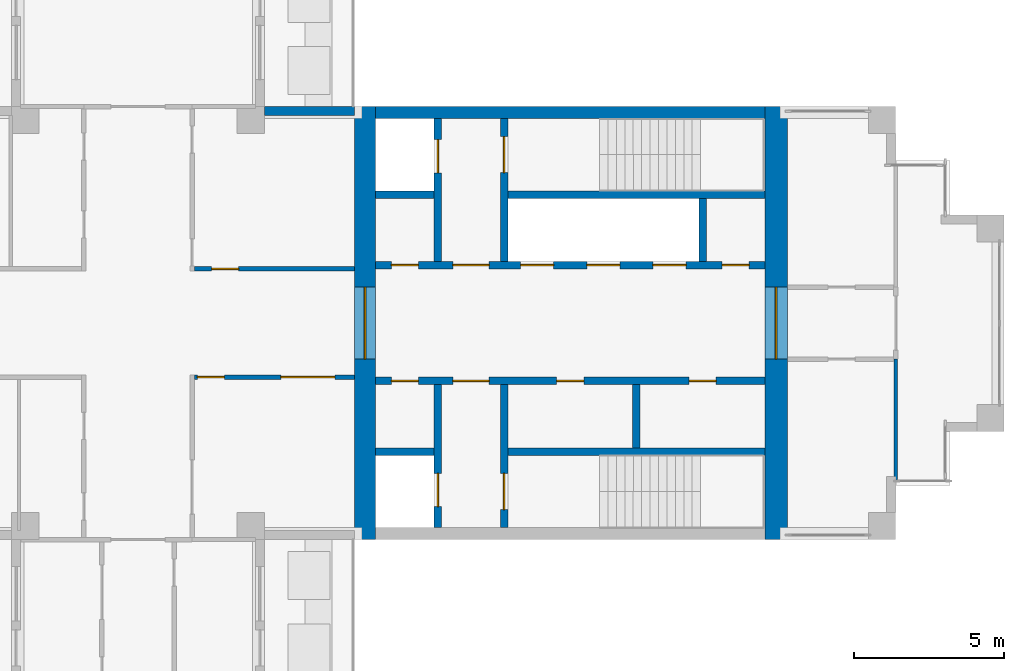
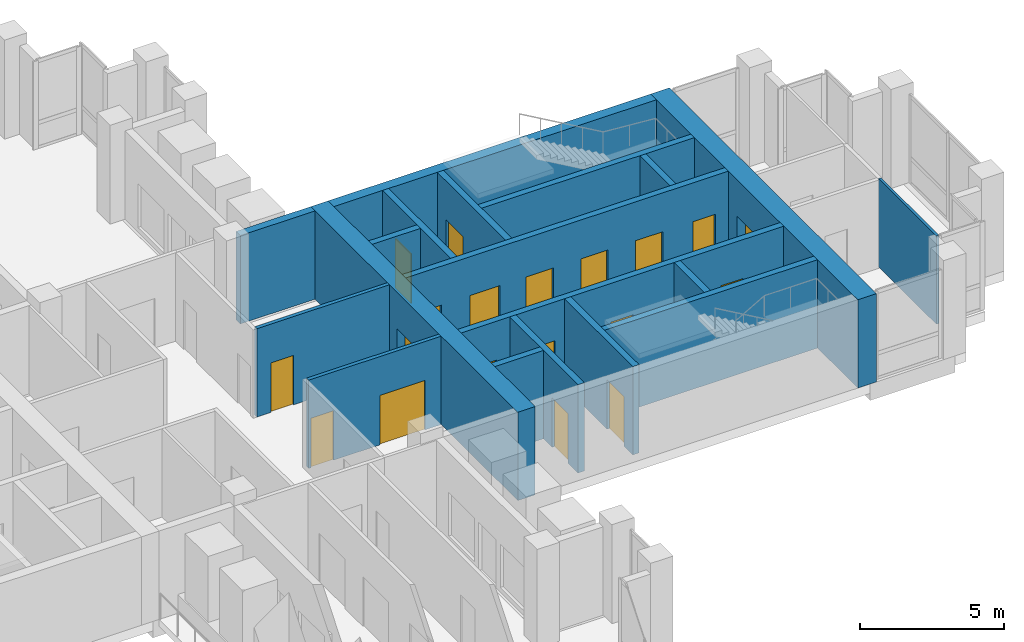
# One storey, part 10 of 13: 19 doors, 19 walls, 19 openings.
"""IFC4 building model written with IfcOpenShell, lengths in metres."""

import ifcopenshell
import ifcopenshell.guid

model = None  # the IFC model being written
_history = None  # IfcOwnerHistory: only IFC2X3 demands one
_inside = {}  # id of a spatial element -> (the spatial element, [elements in it])
_under = {}  # id of a project, library or spatial element -> (it, [spatial elements below it])
_declared = {}  # id of a project -> (the project, [libraries it declares])
_typed = {}  # id of a type object -> (the type object, [elements of that type])
_made_of = {}  # id of a material, layer set ... -> (it, [elements and type objects made of it])


def new_model(schema):
    """Start an empty IFC model of exactly this schema.

    Asked for "IFC4X3", IfcOpenShell would pick the latest addendum, in which some entities
    have other attributes; the version numbers below select the first issue.
    IFC2X3 requires an IfcOwnerHistory on every rooted entity: one is made here for all.
    """
    global model, _history
    if schema == "IFC4X3":
        model = ifcopenshell.file(schema_version=(4, 3, 0, 0))
    else:
        model = ifcopenshell.file(schema=schema)
    _inside.clear()
    _under.clear()
    _declared.clear()
    _typed.clear()
    _made_of.clear()
    _history = None
    if model.schema == "IFC2X3":
        org = make("IfcOrganization", Name="unknown")
        user = make(
            "IfcPersonAndOrganization",
            ThePerson=make("IfcPerson", FamilyName="unknown"),
            TheOrganization=org,
        )
        app = make(
            "IfcApplication",
            ApplicationDeveloper=org,
            Version="unknown",
            ApplicationFullName="unknown",
            ApplicationIdentifier="unknown",
        )
        _history = make(
            "IfcOwnerHistory",
            OwningUser=user,
            OwningApplication=app,
            ChangeAction="ADDED",
            CreationDate=0,
        )
    return model


def make(cls, **values):
    """One entity of the class cls with the attributes given. An attribute that is None is left unset."""
    return model.create_entity(
        cls, **{name: value for name, value in values.items() if value is not None}
    )


def rooted(cls, **values):
    """An entity with a GlobalId (a new one), such as an element, a storey or a relation."""
    return make(cls, GlobalId=ifcopenshell.guid.new(), OwnerHistory=_history, **values)


def si_unit(unit_type, name, prefix=None):
    """IfcSIUnit, for example si_unit("LENGTHUNIT", "METRE", prefix="MILLI")."""
    return make("IfcSIUnit", UnitType=unit_type, Prefix=prefix, Name=name)


def assignment(units):
    """IfcUnitAssignment: the units of a project."""
    return None if units is None else make("IfcUnitAssignment", Units=units)


def point(xyz):
    """IfcCartesianPoint."""
    return None if xyz is None else make("IfcCartesianPoint", Coordinates=xyz)


def direction(xyz):
    """IfcDirection."""
    return None if xyz is None else make("IfcDirection", DirectionRatios=xyz)


def frame(location, z_axis=None, x_axis=None):
    """IfcAxis2Placement3D, a coordinate frame: its origin and axes. An axis left out is left unset."""
    return make(
        "IfcAxis2Placement3D",
        Location=point(location),
        Axis=direction(z_axis),
        RefDirection=direction(x_axis),
    )


def frame_2d(location, x_axis=None):
    """IfcAxis2Placement2D, a coordinate frame in the plane: its origin and x axis."""
    return make(
        "IfcAxis2Placement2D", Location=point(location), RefDirection=direction(x_axis)
    )


def origin():
    """The frame at (0, 0, 0) with its axes left unset."""
    return frame((0.0, 0.0, 0.0))


def place(relative_to, where):
    """IfcLocalPlacement: puts the frame where relative to a parent placement (None: the world)."""
    return make(
        "IfcLocalPlacement", PlacementRelTo=relative_to, RelativePlacement=where
    )


def context(
    kind, dimensions, precision=None, world=None, true_north=None, identifier=None
):
    """IfcGeometricRepresentationContext, for example the 3D "Model" context."""
    return make(
        "IfcGeometricRepresentationContext",
        ContextIdentifier=identifier,
        ContextType=kind,
        CoordinateSpaceDimension=dimensions,
        Precision=precision,
        WorldCoordinateSystem=world,
        TrueNorth=true_north,
    )


def subcontext(parent, identifier, kind, view, scale=None):
    """IfcGeometricRepresentationSubContext, for example "Body" below "Model"."""
    return make(
        "IfcGeometricRepresentationSubContext",
        ContextIdentifier=identifier,
        ContextType=kind,
        ParentContext=parent,
        TargetScale=scale,
        TargetView=view,
    )


def project(units=None, contexts=None):
    """IfcProject with its units and contexts."""
    return rooted(
        "IfcProject",
        Name="project",
        RepresentationContexts=contexts,
        UnitsInContext=assignment(units),
    )


def spatial(cls, under=None, at=None, **own):
    """A site, building, storey or space (cls), placed at a placement, below another one or the project."""
    s = rooted(cls, ObjectPlacement=at, **own)
    if under is not None:
        _under.setdefault(under.id(), (under, []))[1].append(s)
    return s


def profile(cls, at=None, kind="AREA", **sizes):
    """A parametric profile (cls). Its sizes go by their IFC names, for example OverallWidth=200.0."""
    return make(cls, ProfileType=kind, Position=at, **sizes)


def rectangle(**sizes):
    """IfcRectangleProfileDef."""
    return profile("IfcRectangleProfileDef", **sizes)


def extrude(swept, where, along, depth):
    """IfcExtrudedAreaSolid: the profile swept, set in the frame where, extruded along a direction by depth."""
    return make(
        "IfcExtrudedAreaSolid",
        SweptArea=swept,
        Position=where,
        ExtrudedDirection=direction(along),
        Depth=depth,
    )


def shape(context_of_items, identifier, shape_type, items):
    """IfcShapeRepresentation: the items that make up one representation, for example the "Body"."""
    return make(
        "IfcShapeRepresentation",
        ContextOfItems=context_of_items,
        RepresentationIdentifier=identifier,
        RepresentationType=shape_type,
        Items=items,
    )


def material(Name=None, Category=None):
    """IfcMaterial."""
    return make("IfcMaterial", Name=Name, Category=Category)


def layer(
    of_material, thickness, ventilated=None, Name=None, Category=None, Priority=None
):
    """IfcMaterialLayer: one layer of a wall or slab, of a material (None: an air gap)."""
    return make(
        "IfcMaterialLayer",
        Material=of_material,
        LayerThickness=thickness,
        IsVentilated=ventilated,
        Name=Name,
        Category=Category,
        Priority=Priority,
    )


def layer_set(layers, Name=None):
    """IfcMaterialLayerSet."""
    return make("IfcMaterialLayerSet", MaterialLayers=layers, LayerSetName=Name)


def made_of(thing, what):
    """Note that an element or type object is made of a material, layer set ...; save() writes the relation."""
    if what is not None:
        _made_of.setdefault(what.id(), (what, []))[1].append(thing)
    return thing


def type_object(cls, material=None, **own):
    """A type object (cls), such as IfcWallType, which elements share."""
    return made_of(rooted(cls, **own), material)


def element(
    cls,
    number,
    at=None,
    inside=None,
    cuts=None,
    type_object=None,
    material=None,
    context=None,
    identifier="Body",
    shape_type=None,
    held_by="IfcProductDefinitionShape",
    body=None,
    shapes=None,
    **own,
):
    """One element of the class cls, such as IfcWall. Its Tag is "e" and its number.

    at: its placement. inside: the storey or other place that contains it. cuts: it is an
    opening in that element (IfcRelVoidsElement). A single representation is given by context,
    identifier, shape_type and body (its items); several are given by shapes. held_by: the class
    of the entity that holds the representations. save() writes the other relations.
    """
    e = rooted(cls, Tag="e%d" % number, ObjectPlacement=at, **own)
    if body is not None:
        shapes = [shape(context, identifier, shape_type, body)]
    if shapes is not None:
        e.Representation = make(held_by, Representations=shapes)
    if inside is not None:
        _inside.setdefault(inside.id(), (inside, []))[1].append(e)
    if cuts is not None:
        rooted(
            "IfcRelVoidsElement", RelatingBuildingElement=cuts, RelatedOpeningElement=e
        )
    if type_object is not None:
        _typed.setdefault(type_object.id(), (type_object, []))[1].append(e)
    return made_of(e, material)


def fill(opening, filler):
    """IfcRelFillsElement: the door or window that sits in an opening."""
    return rooted(
        "IfcRelFillsElement",
        RelatingOpeningElement=opening,
        RelatedBuildingElement=filler,
    )


def aggregate(whole, parts):
    """IfcRelAggregates: a whole, such as a stair, and the parts it consists of."""
    return rooted("IfcRelAggregates", RelatingObject=whole, RelatedObjects=parts)


def save(model, path):
    """Write the relations noted so far, then the file.

    IfcRelAggregates (storeys below a building ...), IfcRelContainedInSpatialStructure (elements
    in a storey), IfcRelDefinesByType, IfcRelAssociatesMaterial and IfcRelDeclares: one each for
    every whole, place, type object, material and project.
    """
    for whole, parts in _under.values():
        aggregate(whole, parts)
    for where, things in _inside.values():
        rooted(
            "IfcRelContainedInSpatialStructure",
            RelatedElements=things,
            RelatingStructure=where,
        )
    for kind, things in _typed.values():
        rooted("IfcRelDefinesByType", RelatedObjects=things, RelatingType=kind)
    for what, things in _made_of.values():
        rooted("IfcRelAssociatesMaterial", RelatedObjects=things, RelatingMaterial=what)
    for by, libraries in _declared.values():
        rooted("IfcRelDeclares", RelatingContext=by, RelatedDefinitions=libraries)
    model.write(path)


model = new_model("IFC4")

# Units and contexts
model_context = context("Model", 3, precision=1e-05, world=origin(), true_north=direction((0.0, 1.0)))
body_context = subcontext(model_context, "Body", "Model", "MODEL_VIEW")
ifc_project = project(units=[si_unit("LENGTHUNIT", "METRE"), si_unit("AREAUNIT", "SQUARE_METRE"), si_unit("VOLUMEUNIT", "CUBIC_METRE"), si_unit("PLANEANGLEUNIT", "RADIAN"), si_unit("MASSUNIT", "GRAM", prefix="KILO")], contexts=[model_context])

# Site, building, storey
site_placement = place(None, origin())
site = spatial("IfcSite", under=ifc_project, at=site_placement, CompositionType="ELEMENT")
building_placement = place(site_placement, origin())
building = spatial("IfcBuilding", under=site, at=building_placement, Name="Fustian Cross Tower", CompositionType="ELEMENT")
storey_placement = place(building_placement, frame((0.0, 0.0, 237.89990234375)))
storey = spatial("IfcBuildingStorey", under=building, at=storey_placement, Name="L75", CompositionType="ELEMENT", Elevation=237.89990234375)

# Wall, openings, doors
ifc_material_1 = material(Name="Plasterboard on steel stud", Category="steel")
ifc_layer_1 = layer(ifc_material_1, 0.14990234375)
ifc_layer_set_1 = layer_set([ifc_layer_1], Name="Plasterboard on steel stud")
wall_type_1 = type_object("IfcWallType", Name="COMPARTMENT WALL 150 EI 60", PredefinedType="PARTITIONING", material=ifc_layer_set_1)
wall_1_placement = place(storey_placement, frame((1.875, -1.800048828125, 0.0), z_axis=(0.0, 0.0, 1.0), x_axis=(1.0, 0.0, 0.0)))
wall_1 = element("IfcWall", 1, at=wall_1_placement, inside=storey, type_object=wall_type_1, Name="Partition 20", PredefinedType="PARTITIONING", context=body_context, shape_type="SweptSolid", body=[
    extrude(rectangle(XDim=5.324951171875, YDim=0.14990234375, at=frame_2d((2.66259765625, 0.0))), origin(), (0.0, 0.0, 1.0), 3.75),
])
opening_1_placement = place(wall_1_placement, frame((0.10009765625, 0.0, 0.0)))
opening_1 = element("IfcOpeningElement", 2, at=opening_1_placement, cuts=wall_1, Name="Opening D34011", PredefinedType="OPENING", context=body_context, shape_type="SweptSolid", body=[
    extrude(rectangle(XDim=0.89990234375, YDim=2.10009765625, at=frame_2d((0.449951171875, 1.050048828125))), frame((0.0, 0.0849609375, 0.0), z_axis=(0.0, -1.0, 0.0), x_axis=(1.0, 0.0, 0.0)), (0.0, 0.0, 1.0), 0.169921875),
])
opening_2_placement = place(wall_1_placement, frame((2.875, 0.0, 0.0)))
opening_2 = element("IfcOpeningElement", 3, at=opening_2_placement, cuts=wall_1, Name="Opening D34012", PredefinedType="OPENING", context=body_context, shape_type="SweptSolid", body=[
    extrude(rectangle(XDim=1.800048828125, YDim=2.10009765625, at=frame_2d((0.89990234375, 1.050048828125))), frame((0.0, 0.0849609375, 0.0), z_axis=(0.0, -1.0, 0.0), x_axis=(1.0, 0.0, 0.0)), (0.0, 0.0, 1.0), 0.169921875),
])
ifc_material_2 = material(Name="Timber fire door set", Category="wood")
door_type_1 = type_object("IfcDoorType", Name="FIRE DOUBLE DOOR 1800 FD30S", OperationType="DOUBLE_DOOR_DOUBLE_SWING", PredefinedType="DOOR", material=ifc_material_2)
door_1_placement = place(opening_2_placement, frame((1.800048828125, 0.0, 0.0), z_axis=(0.0, 0.0, 1.0), x_axis=(-1.0, 0.0, 0.0)))
door_1 = element("IfcDoor", 4, at=door_1_placement, inside=storey, type_object=door_type_1, Name="Door D34012", OperationType="DOUBLE_DOOR_DOUBLE_SWING", OverallHeight=2.10009765625, OverallWidth=1.800048828125, PredefinedType="DOOR", context=body_context, shape_type="SweptSolid", body=[
    extrude(rectangle(XDim=1.800048828125, YDim=2.10009765625, at=frame_2d((0.89990234375, 1.050048828125))), frame((0.0, 0.02490234375, 0.0), z_axis=(0.0, -1.0, 0.0), x_axis=(1.0, 0.0, 0.0)), (0.0, 0.0, 1.0), 0.050048828125),
])
fill(opening_2, door_1)
ifc_material_3 = material(Name="Timber fire door set", Category="wood")
door_type_2 = type_object("IfcDoorType", Name="FIRE SWING DOOR 900 FD30S", OperationType="SINGLE_SWING_LEFT", PredefinedType="DOOR", material=ifc_material_3)
door_2_placement = place(opening_1_placement, origin())
door_2 = element("IfcDoor", 5, at=door_2_placement, inside=storey, type_object=door_type_2, Name="Door D34011", OperationType="SINGLE_SWING_RIGHT", OverallHeight=2.10009765625, OverallWidth=0.89990234375, PredefinedType="DOOR", context=body_context, shape_type="SweptSolid", body=[
    extrude(rectangle(XDim=0.89990234375, YDim=2.10009765625, at=frame_2d((0.449951171875, 1.050048828125))), frame((0.0, 0.02490234375, 0.0), z_axis=(0.0, -1.0, 0.0), x_axis=(1.0, 0.0, 0.0)), (0.0, 0.0, 1.0), 0.050048828125),
])
fill(opening_1, door_2)

# Wall, opening, door
wall_2_placement = place(storey_placement, frame((1.875, 1.800048828125, 0.0), z_axis=(0.0, 0.0, 1.0), x_axis=(1.0, 0.0, 0.0)))
wall_2 = element("IfcWall", 6, at=wall_2_placement, inside=storey, type_object=wall_type_1, Name="Partition 22", PredefinedType="PARTITIONING", context=body_context, shape_type="SweptSolid", body=[
    extrude(rectangle(XDim=5.324951171875, YDim=0.14990234375, at=frame_2d((2.66259765625, 0.0))), origin(), (0.0, 0.0, 1.0), 3.75),
])
opening_3_placement = place(wall_2_placement, frame((0.574951171875, 0.0, 0.0)))
opening_3 = element("IfcOpeningElement", 7, at=opening_3_placement, cuts=wall_2, Name="Opening D34003", PredefinedType="OPENING", context=body_context, shape_type="SweptSolid", body=[
    extrude(rectangle(XDim=0.89990234375, YDim=2.10009765625, at=frame_2d((0.449951171875, 1.050048828125))), frame((0.0, 0.0849609375, 0.0), z_axis=(0.0, -1.0, 0.0), x_axis=(1.0, 0.0, 0.0)), (0.0, 0.0, 1.0), 0.169921875),
])
door_3_placement = place(opening_3_placement, frame((0.89990234375, 0.0, 0.0), z_axis=(0.0, 0.0, 1.0), x_axis=(-1.0, 0.0, 0.0)))
door_3 = element("IfcDoor", 8, at=door_3_placement, inside=storey, type_object=door_type_2, Name="Door D34003", OperationType="SINGLE_SWING_LEFT", OverallHeight=2.10009765625, OverallWidth=0.89990234375, PredefinedType="DOOR", context=body_context, shape_type="SweptSolid", body=[
    extrude(rectangle(XDim=0.89990234375, YDim=2.10009765625, at=frame_2d((0.449951171875, 1.050048828125))), frame((0.0, 0.02490234375, 0.0), z_axis=(0.0, -1.0, 0.0), x_axis=(1.0, 0.0, 0.0)), (0.0, 0.0, 1.0), 0.050048828125),
])
fill(opening_3, door_3)

ifc_material_4 = material(Name="Concrete C50/60", Category="concrete")
ifc_layer_2 = layer(ifc_material_4, 0.699951171875)
ifc_layer_set_2 = layer_set([ifc_layer_2], Name="Concrete C50/60")
wall_type_2 = type_object("IfcWallType", Name="CORE END WALL 700 C50/60", PredefinedType="SHEAR", material=ifc_layer_set_2)
wall_3_placement = place(storey_placement, frame((7.550048828125, -7.199951171875, 0.0), z_axis=(0.0, 0.0, 1.0), x_axis=(0.0, 1.0, 0.0)))
wall_3 = element("IfcWall", 9, at=wall_3_placement, inside=storey, type_object=wall_type_2, Name="Core end wall", PredefinedType="SHEAR", context=body_context, shape_type="SweptSolid", body=[
    extrude(rectangle(XDim=14.39990234375, YDim=0.699951171875, at=frame_2d((7.199951171875, 0.0))), origin(), (0.0, 0.0, 1.0), 3.75),
])
opening_4_placement = place(wall_3_placement, frame((6.0, 0.0, 0.0)))
opening_4 = element("IfcOpeningElement", 10, at=opening_4_placement, cuts=wall_3, Name="Opening CD-30-12", PredefinedType="OPENING", context=body_context, shape_type="SweptSolid", body=[
    extrude(rectangle(XDim=2.39990234375, YDim=2.199951171875, at=frame_2d((1.199951171875, 1.10009765625))), frame((0.0, 0.35986328125, 0.0), z_axis=(0.0, -1.0, 0.0), x_axis=(1.0, 0.0, 0.0)), (0.0, 0.0, 1.0), 0.719970703125),
])
ifc_material_5 = material(Name="Steel", Category="steel")
door_type_3 = type_object("IfcDoorType", Name="FIRE DOOR FD30S DOUBLE 2400X2200", OperationType="DOUBLE_DOOR_DOUBLE_SWING", PredefinedType="DOOR", material=ifc_material_5)
door_4_placement = place(opening_4_placement, origin())
door_4 = element("IfcDoor", 11, at=door_4_placement, inside=storey, type_object=door_type_3, Name="Core door CD-30-12", OperationType="DOUBLE_DOOR_DOUBLE_SWING", OverallHeight=2.199951171875, OverallWidth=2.39990234375, PredefinedType="DOOR", context=body_context, shape_type="SweptSolid", body=[
    extrude(rectangle(XDim=2.39990234375, YDim=2.199951171875, at=frame_2d((1.199951171875, 1.10009765625))), frame((0.0, 0.02490234375, 0.0), z_axis=(0.0, -1.0, 0.0), x_axis=(1.0, 0.0, 0.0)), (0.0, 0.0, 1.0), 0.050048828125),
])
fill(opening_4, door_4)

ifc_material_6 = material(Name="Concrete C50/60", Category="concrete")
ifc_layer_3 = layer(ifc_material_6, 0.75)
ifc_layer_set_3 = layer_set([ifc_layer_3], Name="Concrete C50/60")
wall_type_3 = type_object("IfcWallType", Name="CORE END WALL 750 C50/60", PredefinedType="SHEAR", material=ifc_layer_set_3)
wall_4_placement = place(storey_placement, frame((21.22509765625, -7.199951171875, 0.0), z_axis=(0.0, 0.0, 1.0), x_axis=(0.0, 1.0, 0.0)))
wall_4 = element("IfcWall", 12, at=wall_4_placement, inside=storey, type_object=wall_type_3, Name="Core end wall", PredefinedType="SHEAR", context=body_context, shape_type="SweptSolid", body=[
    extrude(rectangle(XDim=14.39990234375, YDim=0.75, at=frame_2d((7.199951171875, 0.0))), origin(), (0.0, 0.0, 1.0), 3.75),
])
opening_5_placement = place(wall_4_placement, frame((6.0, 0.0, 0.0)))
opening_5 = element("IfcOpeningElement", 13, at=opening_5_placement, cuts=wall_4, Name="Opening CD-30-13", PredefinedType="OPENING", context=body_context, shape_type="SweptSolid", body=[
    extrude(rectangle(XDim=2.39990234375, YDim=2.199951171875, at=frame_2d((1.199951171875, 1.10009765625))), frame((0.0, 0.385009765625, 0.0), z_axis=(0.0, -1.0, 0.0), x_axis=(1.0, 0.0, 0.0)), (0.0, 0.0, 1.0), 0.77001953125),
])
door_5_placement = place(opening_5_placement, origin())
door_5 = element("IfcDoor", 14, at=door_5_placement, inside=storey, type_object=door_type_3, Name="Core door CD-30-13", OperationType="DOUBLE_DOOR_DOUBLE_SWING", OverallHeight=2.199951171875, OverallWidth=2.39990234375, PredefinedType="DOOR", context=body_context, shape_type="SweptSolid", body=[
    extrude(rectangle(XDim=2.39990234375, YDim=2.199951171875, at=frame_2d((1.199951171875, 1.10009765625))), frame((0.0, 0.02490234375, 0.0), z_axis=(0.0, -1.0, 0.0), x_axis=(1.0, 0.0, 0.0)), (0.0, 0.0, 1.0), 0.050048828125),
])
fill(opening_5, door_5)

# Wall
ifc_material_7 = material(Name="Concrete C50/60", Category="concrete")
ifc_layer_4 = layer(ifc_material_7, 0.39990234375)
ifc_layer_set_4 = layer_set([ifc_layer_4], Name="Concrete C50/60")
wall_type_4 = type_object("IfcWallType", Name="CORE FACADE WALL 400 C50/60", PredefinedType="SHEAR", material=ifc_layer_set_4)
wall_5_placement = place(storey_placement, frame((7.89990234375, 7.0, 0.0), z_axis=(0.0, 0.0, 1.0), x_axis=(1.0, 0.0, 0.0)))
element("IfcWall", 15, at=wall_5_placement, inside=storey, type_object=wall_type_4, Name="Core facade wall", PredefinedType="SHEAR", context=body_context, shape_type="SweptSolid", body=[
    extrude(rectangle(XDim=12.9501953125, YDim=0.39990234375, at=frame_2d((6.47509765625, 0.0))), origin(), (0.0, 0.0, 1.0), 3.75),
])

# Wall, openings, doors
ifc_material_8 = material(Name="Concrete C50/60", Category="concrete")
ifc_layer_5 = layer(ifc_material_8, 0.25)
ifc_layer_set_5 = layer_set([ifc_layer_5], Name="Concrete C50/60")
wall_type_5 = type_object("IfcWallType", Name="CORE LOBBY WALL 250 C50/60", PredefinedType="SHEAR", material=ifc_layer_set_5)
wall_6_placement = place(storey_placement, frame((7.89990234375, 1.925048828125, 0.0), z_axis=(0.0, 0.0, 1.0), x_axis=(1.0, 0.0, 0.0)))
wall_6 = element("IfcWall", 16, at=wall_6_placement, inside=storey, type_object=wall_type_5, Name="Core lobby wall", PredefinedType="SHEAR", context=body_context, shape_type="SweptSolid", body=[
    extrude(rectangle(XDim=12.9501953125, YDim=0.25, at=frame_2d((6.47509765625, 0.0))), origin(), (0.0, 0.0, 1.0), 3.75),
])
opening_6_placement = place(wall_6_placement, frame((4.824951171875, 0.0, 0.0)))
opening_6 = element("IfcOpeningElement", 17, at=opening_6_placement, cuts=wall_6, Name="Opening LD", PredefinedType="OPENING", context=body_context, shape_type="SweptSolid", body=[
    extrude(rectangle(XDim=1.10009765625, YDim=2.10009765625, at=frame_2d((0.550048828125, 1.050048828125))), frame((0.0, 0.135009765625, 0.0), z_axis=(0.0, -1.0, 0.0), x_axis=(1.0, 0.0, 0.0)), (0.0, 0.0, 1.0), 0.27001953125),
])
opening_7_placement = place(wall_6_placement, frame((7.02490234375, 0.0, 0.0)))
opening_7 = element("IfcOpeningElement", 18, at=opening_7_placement, cuts=wall_6, Name="Opening LD", PredefinedType="OPENING", context=body_context, shape_type="SweptSolid", body=[
    extrude(rectangle(XDim=1.10009765625, YDim=2.10009765625, at=frame_2d((0.550048828125, 1.050048828125))), frame((0.0, 0.135009765625, 0.0), z_axis=(0.0, -1.0, 0.0), x_axis=(1.0, 0.0, 0.0)), (0.0, 0.0, 1.0), 0.27001953125),
])
opening_8_placement = place(wall_6_placement, frame((9.22509765625, 0.0, 0.0)))
opening_8 = element("IfcOpeningElement", 19, at=opening_8_placement, cuts=wall_6, Name="Opening LD", PredefinedType="OPENING", context=body_context, shape_type="SweptSolid", body=[
    extrude(rectangle(XDim=1.10009765625, YDim=2.10009765625, at=frame_2d((0.550048828125, 1.050048828125))), frame((0.0, 0.135009765625, 0.0), z_axis=(0.0, -1.0, 0.0), x_axis=(1.0, 0.0, 0.0)), (0.0, 0.0, 1.0), 0.27001953125),
])
opening_9_placement = place(wall_6_placement, frame((0.52490234375, 0.0, 0.0)))
opening_9 = element("IfcOpeningElement", 20, at=opening_9_placement, cuts=wall_6, Name="Opening CD-30-08", PredefinedType="OPENING", context=body_context, shape_type="SweptSolid", body=[
    extrude(rectangle(XDim=0.89990234375, YDim=2.10009765625, at=frame_2d((0.449951171875, 1.050048828125))), frame((0.0, 0.135009765625, 0.0), z_axis=(0.0, -1.0, 0.0), x_axis=(1.0, 0.0, 0.0)), (0.0, 0.0, 1.0), 0.27001953125),
])
opening_10_placement = place(wall_6_placement, frame((2.574951171875, 0.0, 0.0)))
opening_10 = element("IfcOpeningElement", 21, at=opening_10_placement, cuts=wall_6, Name="Opening CD-30-10", PredefinedType="OPENING", context=body_context, shape_type="SweptSolid", body=[
    extrude(rectangle(XDim=1.199951171875, YDim=2.10009765625, at=frame_2d((0.60009765625, 1.050048828125))), frame((0.0, 0.135009765625, 0.0), z_axis=(0.0, -1.0, 0.0), x_axis=(1.0, 0.0, 0.0)), (0.0, 0.0, 1.0), 0.27001953125),
])
opening_11_placement = place(wall_6_placement, frame((11.52490234375, 0.0, 0.0)))
opening_11 = element("IfcOpeningElement", 22, at=opening_11_placement, cuts=wall_6, Name="Opening CD-30-14", PredefinedType="OPENING", context=body_context, shape_type="SweptSolid", body=[
    extrude(rectangle(XDim=0.89990234375, YDim=2.10009765625, at=frame_2d((0.449951171875, 1.050048828125))), frame((0.0, 0.135009765625, 0.0), z_axis=(0.0, -1.0, 0.0), x_axis=(1.0, 0.0, 0.0)), (0.0, 0.0, 1.0), 0.27001953125),
])
ifc_material_9 = material(Name="Steel", Category="steel")
door_type_4 = type_object("IfcDoorType", Name="FIRE DOOR FD30S 900X2100", OperationType="SINGLE_SWING_LEFT", PredefinedType="DOOR", material=ifc_material_9)
door_6_placement = place(opening_11_placement, origin())
door_6 = element("IfcDoor", 23, at=door_6_placement, inside=storey, type_object=door_type_4, Name="Core door CD-30-14", OperationType="SINGLE_SWING_LEFT", OverallHeight=2.10009765625, OverallWidth=0.89990234375, PredefinedType="DOOR", context=body_context, shape_type="SweptSolid", body=[
    extrude(rectangle(XDim=0.89990234375, YDim=2.10009765625, at=frame_2d((0.449951171875, 1.050048828125))), frame((0.0, 0.02490234375, 0.0), z_axis=(0.0, -1.0, 0.0), x_axis=(1.0, 0.0, 0.0)), (0.0, 0.0, 1.0), 0.050048828125),
])
fill(opening_11, door_6)
ifc_material_10 = material(Name="Steel", Category="steel")
door_type_5 = type_object("IfcDoorType", Name="FIRE DOOR FD60S 1200X2100", OperationType="SINGLE_SWING_LEFT", PredefinedType="DOOR", material=ifc_material_10)
door_7_placement = place(opening_10_placement, frame((1.199951171875, 0.0, 0.0), z_axis=(0.0, 0.0, 1.0), x_axis=(-1.0, 0.0, 0.0)))
door_7 = element("IfcDoor", 24, at=door_7_placement, inside=storey, type_object=door_type_5, Name="Core door CD-30-10", OperationType="SINGLE_SWING_RIGHT", OverallHeight=2.10009765625, OverallWidth=1.199951171875, PredefinedType="DOOR", context=body_context, shape_type="SweptSolid", body=[
    extrude(rectangle(XDim=1.199951171875, YDim=2.10009765625, at=frame_2d((0.60009765625, 1.050048828125))), frame((0.0, 0.02490234375, 0.0), z_axis=(0.0, -1.0, 0.0), x_axis=(1.0, 0.0, 0.0)), (0.0, 0.0, 1.0), 0.050048828125),
])
fill(opening_10, door_7)
ifc_material_11 = material(Name="Steel", Category="steel")
door_type_6 = type_object("IfcDoorType", Name="FIRE DOOR FD60S 900X2100", OperationType="SINGLE_SWING_LEFT", PredefinedType="DOOR", material=ifc_material_11)
door_8_placement = place(opening_9_placement, origin())
door_8 = element("IfcDoor", 25, at=door_8_placement, inside=storey, type_object=door_type_6, Name="Core door CD-30-08", OperationType="SINGLE_SWING_LEFT", OverallHeight=2.10009765625, OverallWidth=0.89990234375, PredefinedType="DOOR", context=body_context, shape_type="SweptSolid", body=[
    extrude(rectangle(XDim=0.89990234375, YDim=2.10009765625, at=frame_2d((0.449951171875, 1.050048828125))), frame((0.0, 0.02490234375, 0.0), z_axis=(0.0, -1.0, 0.0), x_axis=(1.0, 0.0, 0.0)), (0.0, 0.0, 1.0), 0.050048828125),
])
fill(opening_9, door_8)
ifc_material_12 = material(Name="Stainless steel", Category="steel")
door_type_7 = type_object("IfcDoorType", Name="LIFT LANDING DOOR 1100X2100", OperationType="SLIDING_TO_LEFT", PredefinedType="DOOR", material=ifc_material_12)
door_9_placement = place(opening_6_placement, origin())
door_9 = element("IfcDoor", 26, at=door_9_placement, inside=storey, type_object=door_type_7, Name="Landing door HR1", OperationType="SLIDING_TO_LEFT", OverallHeight=2.10009765625, OverallWidth=1.10009765625, PredefinedType="DOOR", context=body_context, shape_type="SweptSolid", body=[
    extrude(rectangle(XDim=1.10009765625, YDim=2.10009765625, at=frame_2d((0.550048828125, 1.050048828125))), frame((0.0, 0.02490234375, 0.0), z_axis=(0.0, -1.0, 0.0), x_axis=(1.0, 0.0, 0.0)), (0.0, 0.0, 1.0), 0.050048828125),
])
fill(opening_6, door_9)
door_10_placement = place(opening_7_placement, origin())
door_10 = element("IfcDoor", 27, at=door_10_placement, inside=storey, type_object=door_type_7, Name="Landing door HR2", OperationType="SLIDING_TO_LEFT", OverallHeight=2.10009765625, OverallWidth=1.10009765625, PredefinedType="DOOR", context=body_context, shape_type="SweptSolid", body=[
    extrude(rectangle(XDim=1.10009765625, YDim=2.10009765625, at=frame_2d((0.550048828125, 1.050048828125))), frame((0.0, 0.02490234375, 0.0), z_axis=(0.0, -1.0, 0.0), x_axis=(1.0, 0.0, 0.0)), (0.0, 0.0, 1.0), 0.050048828125),
])
fill(opening_7, door_10)
door_11_placement = place(opening_8_placement, origin())
door_11 = element("IfcDoor", 28, at=door_11_placement, inside=storey, type_object=door_type_7, Name="Landing door HR3", OperationType="SLIDING_TO_LEFT", OverallHeight=2.10009765625, OverallWidth=1.10009765625, PredefinedType="DOOR", context=body_context, shape_type="SweptSolid", body=[
    extrude(rectangle(XDim=1.10009765625, YDim=2.10009765625, at=frame_2d((0.550048828125, 1.050048828125))), frame((0.0, 0.02490234375, 0.0), z_axis=(0.0, -1.0, 0.0), x_axis=(1.0, 0.0, 0.0)), (0.0, 0.0, 1.0), 0.050048828125),
])
fill(opening_8, door_11)

wall_7_placement = place(storey_placement, frame((7.89990234375, -1.925048828125, 0.0), z_axis=(0.0, 0.0, 1.0), x_axis=(1.0, 0.0, 0.0)))
wall_7 = element("IfcWall", 29, at=wall_7_placement, inside=storey, type_object=wall_type_5, Name="Core lobby wall", PredefinedType="SHEAR", context=body_context, shape_type="SweptSolid", body=[
    extrude(rectangle(XDim=12.9501953125, YDim=0.25, at=frame_2d((6.47509765625, 0.0))), origin(), (0.0, 0.0, 1.0), 3.75),
])
opening_12_placement = place(wall_7_placement, frame((0.52490234375, 0.0, 0.0)))
opening_12 = element("IfcOpeningElement", 30, at=opening_12_placement, cuts=wall_7, Name="Opening CD-30-09", PredefinedType="OPENING", context=body_context, shape_type="SweptSolid", body=[
    extrude(rectangle(XDim=0.89990234375, YDim=2.10009765625, at=frame_2d((0.449951171875, 1.050048828125))), frame((0.0, 0.135009765625, 0.0), z_axis=(0.0, -1.0, 0.0), x_axis=(1.0, 0.0, 0.0)), (0.0, 0.0, 1.0), 0.27001953125),
])
opening_13_placement = place(wall_7_placement, frame((2.574951171875, 0.0, 0.0)))
opening_13 = element("IfcOpeningElement", 31, at=opening_13_placement, cuts=wall_7, Name="Opening CD-30-11", PredefinedType="OPENING", context=body_context, shape_type="SweptSolid", body=[
    extrude(rectangle(XDim=1.199951171875, YDim=2.10009765625, at=frame_2d((0.60009765625, 1.050048828125))), frame((0.0, 0.135009765625, 0.0), z_axis=(0.0, -1.0, 0.0), x_axis=(1.0, 0.0, 0.0)), (0.0, 0.0, 1.0), 0.27001953125),
])
opening_14_placement = place(wall_7_placement, frame((6.02490234375, 0.0, 0.0)))
opening_14 = element("IfcOpeningElement", 32, at=opening_14_placement, cuts=wall_7, Name="Opening CD-30-15", PredefinedType="OPENING", context=body_context, shape_type="SweptSolid", body=[
    extrude(rectangle(XDim=0.89990234375, YDim=2.10009765625, at=frame_2d((0.449951171875, 1.050048828125))), frame((0.0, 0.135009765625, 0.0), z_axis=(0.0, -1.0, 0.0), x_axis=(1.0, 0.0, 0.0)), (0.0, 0.0, 1.0), 0.27001953125),
])
opening_15_placement = place(wall_7_placement, frame((10.425048828125, 0.0, 0.0)))
opening_15 = element("IfcOpeningElement", 33, at=opening_15_placement, cuts=wall_7, Name="Opening CD-30-16", PredefinedType="OPENING", context=body_context, shape_type="SweptSolid", body=[
    extrude(rectangle(XDim=0.89990234375, YDim=2.10009765625, at=frame_2d((0.449951171875, 1.050048828125))), frame((0.0, 0.135009765625, 0.0), z_axis=(0.0, -1.0, 0.0), x_axis=(1.0, 0.0, 0.0)), (0.0, 0.0, 1.0), 0.27001953125),
])
ifc_material_13 = material(Name="Steel", Category="steel")
door_type_8 = type_object("IfcDoorType", Name="FIRE DOOR FD30S 1200X2100", OperationType="SINGLE_SWING_LEFT", PredefinedType="DOOR", material=ifc_material_13)
door_12_placement = place(opening_13_placement, frame((1.199951171875, 0.0, 0.0), z_axis=(0.0, 0.0, 1.0), x_axis=(-1.0, 0.0, 0.0)))
door_12 = element("IfcDoor", 34, at=door_12_placement, inside=storey, type_object=door_type_8, Name="Core door CD-30-11", OperationType="SINGLE_SWING_RIGHT", OverallHeight=2.10009765625, OverallWidth=1.199951171875, PredefinedType="DOOR", context=body_context, shape_type="SweptSolid", body=[
    extrude(rectangle(XDim=1.199951171875, YDim=2.10009765625, at=frame_2d((0.60009765625, 1.050048828125))), frame((0.0, 0.02490234375, 0.0), z_axis=(0.0, -1.0, 0.0), x_axis=(1.0, 0.0, 0.0)), (0.0, 0.0, 1.0), 0.050048828125),
])
fill(opening_13, door_12)
door_13_placement = place(opening_12_placement, frame((0.89990234375, 0.0, 0.0), z_axis=(0.0, 0.0, 1.0), x_axis=(-1.0, 0.0, 0.0)))
door_13 = element("IfcDoor", 35, at=door_13_placement, inside=storey, type_object=door_type_4, Name="Core door CD-30-09", OperationType="SINGLE_SWING_RIGHT", OverallHeight=2.10009765625, OverallWidth=0.89990234375, PredefinedType="DOOR", context=body_context, shape_type="SweptSolid", body=[
    extrude(rectangle(XDim=0.89990234375, YDim=2.10009765625, at=frame_2d((0.449951171875, 1.050048828125))), frame((0.0, 0.02490234375, 0.0), z_axis=(0.0, -1.0, 0.0), x_axis=(1.0, 0.0, 0.0)), (0.0, 0.0, 1.0), 0.050048828125),
])
fill(opening_12, door_13)
door_14_placement = place(opening_14_placement, frame((0.89990234375, 0.0, 0.0), z_axis=(0.0, 0.0, 1.0), x_axis=(-1.0, 0.0, 0.0)))
door_14 = element("IfcDoor", 36, at=door_14_placement, inside=storey, type_object=door_type_4, Name="Core door CD-30-15", OperationType="SINGLE_SWING_LEFT", OverallHeight=2.10009765625, OverallWidth=0.89990234375, PredefinedType="DOOR", context=body_context, shape_type="SweptSolid", body=[
    extrude(rectangle(XDim=0.89990234375, YDim=2.10009765625, at=frame_2d((0.449951171875, 1.050048828125))), frame((0.0, 0.02490234375, 0.0), z_axis=(0.0, -1.0, 0.0), x_axis=(1.0, 0.0, 0.0)), (0.0, 0.0, 1.0), 0.050048828125),
])
fill(opening_14, door_14)
door_15_placement = place(opening_15_placement, frame((0.89990234375, 0.0, 0.0), z_axis=(0.0, 0.0, 1.0), x_axis=(-1.0, 0.0, 0.0)))
door_15 = element("IfcDoor", 37, at=door_15_placement, inside=storey, type_object=door_type_4, Name="Core door CD-30-16", OperationType="SINGLE_SWING_LEFT", OverallHeight=2.10009765625, OverallWidth=0.89990234375, PredefinedType="DOOR", context=body_context, shape_type="SweptSolid", body=[
    extrude(rectangle(XDim=0.89990234375, YDim=2.10009765625, at=frame_2d((0.449951171875, 1.050048828125))), frame((0.0, 0.02490234375, 0.0), z_axis=(0.0, -1.0, 0.0), x_axis=(1.0, 0.0, 0.0)), (0.0, 0.0, 1.0), 0.050048828125),
])
fill(opening_15, door_15)

# Walls
ifc_material_14 = material(Name="Concrete C50/60", Category="concrete")
ifc_layer_6 = layer(ifc_material_14, 0.25)
ifc_layer_set_6 = layer_set([ifc_layer_6], Name="Concrete C50/60")
wall_type_6 = type_object("IfcWallType", Name="CORE SHAFT WALL 250 C50/60", PredefinedType="SHEAR", material=ifc_layer_set_6)
wall_8_placement = place(storey_placement, frame((7.89990234375, 4.27490234375, 0.0), z_axis=(0.0, 0.0, 1.0), x_axis=(1.0, 0.0, 0.0)))
element("IfcWall", 38, at=wall_8_placement, inside=storey, type_object=wall_type_6, Name="Core shaft wall", PredefinedType="SHEAR", context=body_context, shape_type="SweptSolid", body=[
    extrude(rectangle(XDim=1.9501953125, YDim=0.25, at=frame_2d((0.97509765625, 0.0))), origin(), (0.0, 0.0, 1.0), 3.75),
])
wall_9_placement = place(storey_placement, frame((12.300048828125, 4.27490234375, 0.0), z_axis=(0.0, 0.0, 1.0), x_axis=(1.0, 0.0, 0.0)))
element("IfcWall", 39, at=wall_9_placement, inside=storey, type_object=wall_type_6, Name="Core shaft wall", PredefinedType="SHEAR", context=body_context, shape_type="SweptSolid", body=[
    extrude(rectangle(XDim=8.550048828125, YDim=0.25, at=frame_2d((4.27490234375, 0.0))), origin(), (0.0, 0.0, 1.0), 3.75),
])

# Wall, opening, door
wall_10_placement = place(storey_placement, frame((9.97509765625, 2.050048828125, 0.0), z_axis=(0.0, 0.0, 1.0), x_axis=(0.0, 1.0, 0.0)))
wall_10 = element("IfcWall", 40, at=wall_10_placement, inside=storey, type_object=wall_type_6, Name="Core shaft wall", PredefinedType="SHEAR", context=body_context, shape_type="SweptSolid", body=[
    extrude(rectangle(XDim=4.75, YDim=0.25, at=frame_2d((2.375, 0.0))), origin(), (0.0, 0.0, 1.0), 3.75),
])
opening_16_placement = place(wall_10_placement, frame((2.949951171875, 0.0, 0.0)))
opening_16 = element("IfcOpeningElement", 41, at=opening_16_placement, cuts=wall_10, Name="Opening LD", PredefinedType="OPENING", context=body_context, shape_type="SweptSolid", body=[
    extrude(rectangle(XDim=1.10009765625, YDim=2.10009765625, at=frame_2d((0.550048828125, 1.050048828125))), frame((0.0, 0.135009765625, 0.0), z_axis=(0.0, -1.0, 0.0), x_axis=(1.0, 0.0, 0.0)), (0.0, 0.0, 1.0), 0.27001953125),
])
door_16_placement = place(opening_16_placement, origin())
door_16 = element("IfcDoor", 42, at=door_16_placement, inside=storey, type_object=door_type_7, Name="Landing door FL1", OperationType="SLIDING_TO_LEFT", OverallHeight=2.10009765625, OverallWidth=1.10009765625, PredefinedType="DOOR", context=body_context, shape_type="SweptSolid", body=[
    extrude(rectangle(XDim=1.10009765625, YDim=2.10009765625, at=frame_2d((0.550048828125, 1.050048828125))), frame((0.0, 0.02490234375, 0.0), z_axis=(0.0, -1.0, 0.0), x_axis=(1.0, 0.0, 0.0)), (0.0, 0.0, 1.0), 0.050048828125),
])
fill(opening_16, door_16)

wall_11_placement = place(storey_placement, frame((12.175048828125, 2.050048828125, 0.0), z_axis=(0.0, 0.0, 1.0), x_axis=(0.0, 1.0, 0.0)))
wall_11 = element("IfcWall", 43, at=wall_11_placement, inside=storey, type_object=wall_type_6, Name="Core shaft wall", PredefinedType="SHEAR", context=body_context, shape_type="SweptSolid", body=[
    extrude(rectangle(XDim=4.75, YDim=0.25, at=frame_2d((2.375, 0.0))), origin(), (0.0, 0.0, 1.0), 3.75),
])
opening_17_placement = place(wall_11_placement, frame((2.949951171875, 0.0, 0.0)))
opening_17 = element("IfcOpeningElement", 44, at=opening_17_placement, cuts=wall_11, Name="Opening CD-30-06", PredefinedType="OPENING", context=body_context, shape_type="SweptSolid", body=[
    extrude(rectangle(XDim=1.199951171875, YDim=2.10009765625, at=frame_2d((0.60009765625, 1.050048828125))), frame((0.0, 0.135009765625, 0.0), z_axis=(0.0, -1.0, 0.0), x_axis=(1.0, 0.0, 0.0)), (0.0, 0.0, 1.0), 0.27001953125),
])
door_17_placement = place(opening_17_placement, frame((1.199951171875, 0.0, 0.0), z_axis=(0.0, 0.0, 1.0), x_axis=(-1.0, 0.0, 0.0)))
door_17 = element("IfcDoor", 45, at=door_17_placement, inside=storey, type_object=door_type_5, Name="Core door CD-30-06", OperationType="SINGLE_SWING_RIGHT", OverallHeight=2.10009765625, OverallWidth=1.199951171875, PredefinedType="DOOR", context=body_context, shape_type="SweptSolid", body=[
    extrude(rectangle(XDim=1.199951171875, YDim=2.10009765625, at=frame_2d((0.60009765625, 1.050048828125))), frame((0.0, 0.02490234375, 0.0), z_axis=(0.0, -1.0, 0.0), x_axis=(1.0, 0.0, 0.0)), (0.0, 0.0, 1.0), 0.050048828125),
])
fill(opening_17, door_17)

# Walls
wall_12_placement = place(storey_placement, frame((7.89990234375, -4.27490234375, 0.0), z_axis=(0.0, 0.0, 1.0), x_axis=(1.0, 0.0, 0.0)))
element("IfcWall", 46, at=wall_12_placement, inside=storey, type_object=wall_type_6, Name="Core shaft wall", PredefinedType="SHEAR", context=body_context, shape_type="SweptSolid", body=[
    extrude(rectangle(XDim=1.9501953125, YDim=0.25, at=frame_2d((0.97509765625, 0.0))), origin(), (0.0, 0.0, 1.0), 3.75),
])
wall_13_placement = place(storey_placement, frame((12.300048828125, -4.27490234375, 0.0), z_axis=(0.0, 0.0, 1.0), x_axis=(1.0, 0.0, 0.0)))
element("IfcWall", 47, at=wall_13_placement, inside=storey, type_object=wall_type_6, Name="Core shaft wall", PredefinedType="SHEAR", context=body_context, shape_type="SweptSolid", body=[
    extrude(rectangle(XDim=8.550048828125, YDim=0.25, at=frame_2d((4.27490234375, 0.0))), origin(), (0.0, 0.0, 1.0), 3.75),
])

# Wall, opening, door
wall_14_placement = place(storey_placement, frame((9.97509765625, -2.050048828125, 0.0), z_axis=(0.0, 0.0, 1.0), x_axis=(0.0, -1.0, 0.0)))
wall_14 = element("IfcWall", 48, at=wall_14_placement, inside=storey, type_object=wall_type_6, Name="Core shaft wall", PredefinedType="SHEAR", context=body_context, shape_type="SweptSolid", body=[
    extrude(rectangle(XDim=4.75, YDim=0.25, at=frame_2d((2.375, 0.0))), origin(), (0.0, 0.0, 1.0), 3.75),
])
opening_18_placement = place(wall_14_placement, frame((2.949951171875, 0.0, 0.0)))
opening_18 = element("IfcOpeningElement", 49, at=opening_18_placement, cuts=wall_14, Name="Opening LD", PredefinedType="OPENING", context=body_context, shape_type="SweptSolid", body=[
    extrude(rectangle(XDim=1.10009765625, YDim=2.10009765625, at=frame_2d((0.550048828125, 1.050048828125))), frame((0.0, 0.135009765625, 0.0), z_axis=(0.0, -1.0, 0.0), x_axis=(1.0, 0.0, 0.0)), (0.0, 0.0, 1.0), 0.27001953125),
])
door_18_placement = place(opening_18_placement, origin())
door_18 = element("IfcDoor", 50, at=door_18_placement, inside=storey, type_object=door_type_7, Name="Landing door SV1", OperationType="SLIDING_TO_LEFT", OverallHeight=2.10009765625, OverallWidth=1.10009765625, PredefinedType="DOOR", context=body_context, shape_type="SweptSolid", body=[
    extrude(rectangle(XDim=1.10009765625, YDim=2.10009765625, at=frame_2d((0.550048828125, 1.050048828125))), frame((0.0, 0.02490234375, 0.0), z_axis=(0.0, -1.0, 0.0), x_axis=(1.0, 0.0, 0.0)), (0.0, 0.0, 1.0), 0.050048828125),
])
fill(opening_18, door_18)

wall_15_placement = place(storey_placement, frame((12.175048828125, -2.050048828125, 0.0), z_axis=(0.0, 0.0, 1.0), x_axis=(0.0, -1.0, 0.0)))
wall_15 = element("IfcWall", 51, at=wall_15_placement, inside=storey, type_object=wall_type_6, Name="Core shaft wall", PredefinedType="SHEAR", context=body_context, shape_type="SweptSolid", body=[
    extrude(rectangle(XDim=4.75, YDim=0.25, at=frame_2d((2.375, 0.0))), origin(), (0.0, 0.0, 1.0), 3.75),
])
opening_19_placement = place(wall_15_placement, frame((2.949951171875, 0.0, 0.0)))
opening_19 = element("IfcOpeningElement", 52, at=opening_19_placement, cuts=wall_15, Name="Opening CD-30-07", PredefinedType="OPENING", context=body_context, shape_type="SweptSolid", body=[
    extrude(rectangle(XDim=1.199951171875, YDim=2.10009765625, at=frame_2d((0.60009765625, 1.050048828125))), frame((0.0, 0.135009765625, 0.0), z_axis=(0.0, -1.0, 0.0), x_axis=(1.0, 0.0, 0.0)), (0.0, 0.0, 1.0), 0.27001953125),
])
door_19_placement = place(opening_19_placement, origin())
door_19 = element("IfcDoor", 53, at=door_19_placement, inside=storey, type_object=door_type_5, Name="Core door CD-30-07", OperationType="SINGLE_SWING_LEFT", OverallHeight=2.10009765625, OverallWidth=1.199951171875, PredefinedType="DOOR", context=body_context, shape_type="SweptSolid", body=[
    extrude(rectangle(XDim=1.199951171875, YDim=2.10009765625, at=frame_2d((0.60009765625, 1.050048828125))), frame((0.0, 0.02490234375, 0.0), z_axis=(0.0, -1.0, 0.0), x_axis=(1.0, 0.0, 0.0)), (0.0, 0.0, 1.0), 0.050048828125),
])
fill(opening_19, door_19)

# Walls
ifc_material_15 = material(Name="Plasterboard on steel stud", Category="steel")
ifc_layer_7 = layer(ifc_material_15, 0.10009765625)
ifc_layer_set_7 = layer_set([ifc_layer_7], Name="Plasterboard on steel stud")
wall_type_7 = type_object("IfcWallType", Name="PARTITION 100 STUD", PredefinedType="PARTITIONING", material=ifc_layer_set_7)
wall_16_placement = place(storey_placement, frame((25.199951171875, -5.219970703125, 0.0), z_axis=(0.0, 0.0, 1.0), x_axis=(0.0, 1.0, 0.0)))
element("IfcWall", 54, at=wall_16_placement, inside=storey, type_object=wall_type_7, Name="Partition 26", PredefinedType="PARTITIONING", context=body_context, shape_type="SweptSolid", body=[
    extrude(rectangle(XDim=4.02001953125, YDim=0.10009765625, at=frame_2d((2.010009765625, 0.0))), origin(), (0.0, 0.0, 1.0), 3.75),
])
ifc_material_16 = material(Name="Concrete C40/50", Category="concrete")
ifc_layer_8 = layer(ifc_material_16, 0.25)
ifc_layer_set_8 = layer_set([ifc_layer_8], Name="Concrete C40/50")
wall_type_8 = type_object("IfcWallType", Name="SHAFT PARTITION WALL 250 C40/50", PredefinedType="PARTITIONING", material=ifc_layer_set_8)
for number, where, z_axis, x_axis, name in (
    (55, (18.77490234375, 2.050048828125, 0.0), (0.0, 0.0, 1.0), (0.0, 1.0, 0.0), "Core shaft wall"),
    (56, (16.574951171875, -2.050048828125, 0.0), (0.0, 0.0, 1.0), (0.0, -1.0, 0.0), "Core shaft wall"),
):
    element("IfcWall", number, at=place(storey_placement, frame(where, z_axis=z_axis, x_axis=x_axis)), inside=storey, type_object=wall_type_8, Name=name, PredefinedType="PARTITIONING", context=body_context, shape_type="SweptSolid", body=[
        extrude(rectangle(XDim=2.099853515625, YDim=0.25, at=frame_2d((1.0498046875, 0.0))), origin(), (0.0, 0.0, 1.0), 3.75),
    ])
ifc_material_17 = material(Name="Dark aluminium cladding on insulated backing wall", Category="aluminium")
ifc_layer_9 = layer(ifc_material_17, 0.300048828125)
ifc_layer_set_9 = layer_set([ifc_layer_9], Name="Dark aluminium cladding on insulated backing wall")
wall_type_9 = type_object("IfcWallType", Name="XW1 EXTERNAL WALL 300", PredefinedType="SOLIDWALL", material=ifc_layer_set_9)
wall_17_placement = place(storey_placement, frame((7.199951171875, 7.050048828125, 0.0), z_axis=(0.0, 0.0, 1.0), x_axis=(-1.0, 0.0, 0.0)))
element("IfcWall", 57, at=wall_17_placement, inside=storey, type_object=wall_type_9, Name="External wall", PredefinedType="SOLIDWALL", context=body_context, shape_type="SweptSolid", body=[
    extrude(rectangle(XDim=3.0, YDim=0.300048828125, at=frame_2d((1.5, 0.0))), origin(), (0.0, 0.0, 1.0), 3.75),
])

save(model, "model.ifc")
